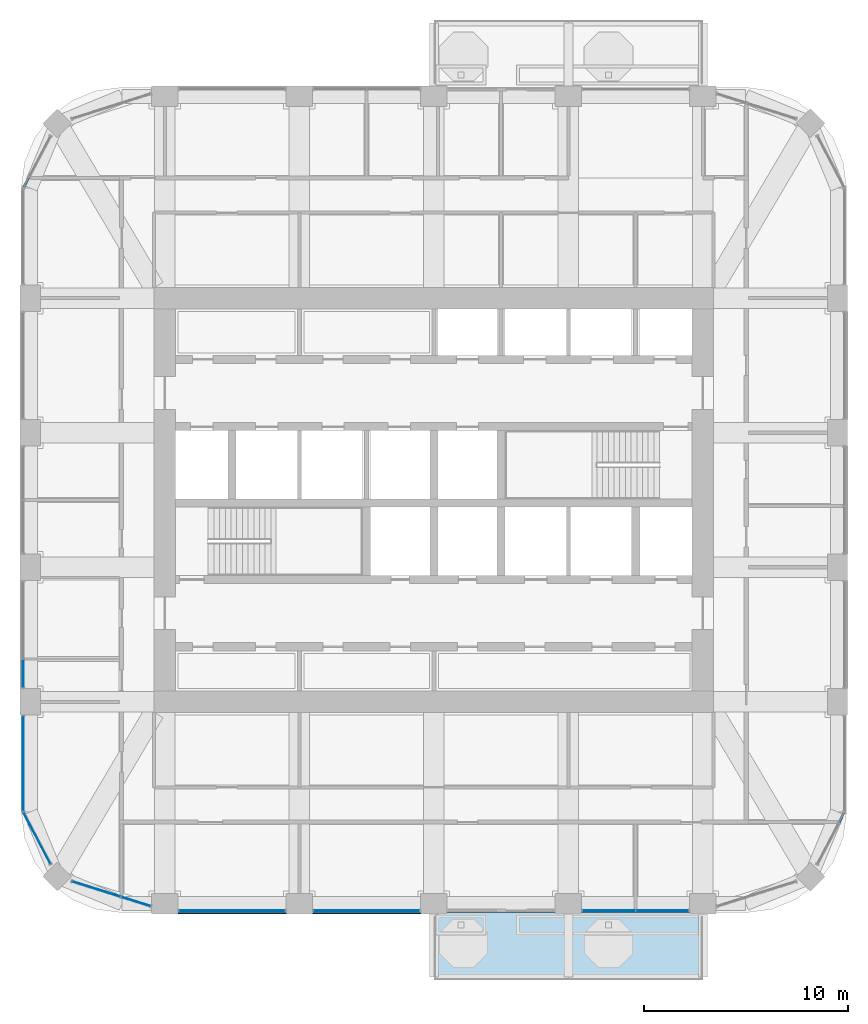
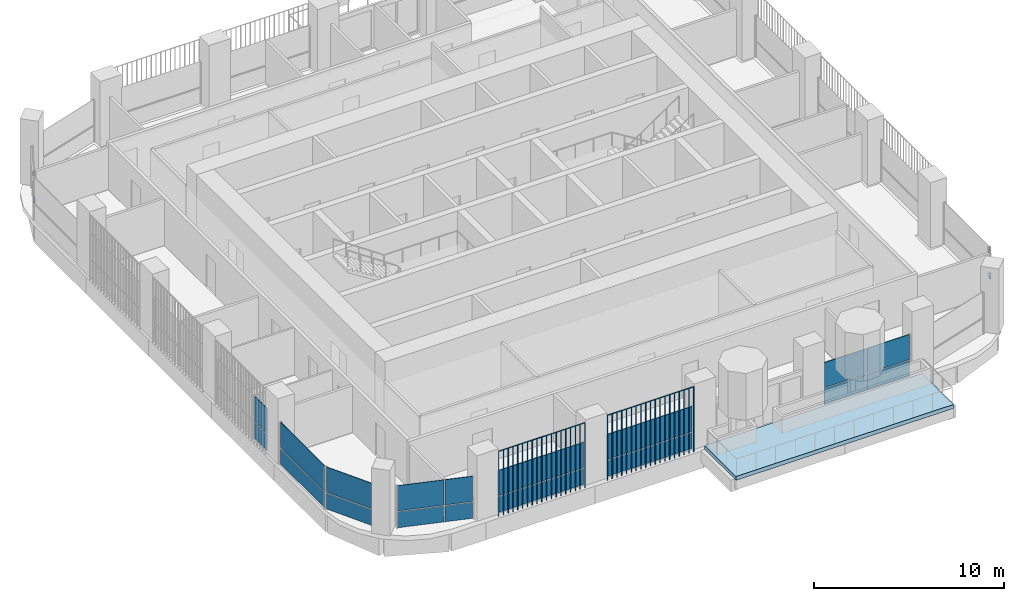
# One storey, part 8 of 21: 20 plates, 2 members, 1 slab, 9 elements without a shape of their own.
"""IFC4 building model written with IfcOpenShell, lengths in metres."""

import ifcopenshell
import ifcopenshell.guid

model = None  # the IFC model being written
_history = None  # IfcOwnerHistory: only IFC2X3 demands one
_inside = {}  # id of a spatial element -> (the spatial element, [elements in it])
_under = {}  # id of a project, library or spatial element -> (it, [spatial elements below it])
_declared = {}  # id of a project -> (the project, [libraries it declares])
_typed = {}  # id of a type object -> (the type object, [elements of that type])
_made_of = {}  # id of a material, layer set ... -> (it, [elements and type objects made of it])


def new_model(schema):
    """Start an empty IFC model of exactly this schema.

    Asked for "IFC4X3", IfcOpenShell would pick the latest addendum, in which some entities
    have other attributes; the version numbers below select the first issue.
    IFC2X3 requires an IfcOwnerHistory on every rooted entity: one is made here for all.
    """
    global model, _history
    if schema == "IFC4X3":
        model = ifcopenshell.file(schema_version=(4, 3, 0, 0))
    else:
        model = ifcopenshell.file(schema=schema)
    _inside.clear()
    _under.clear()
    _declared.clear()
    _typed.clear()
    _made_of.clear()
    _history = None
    if model.schema == "IFC2X3":
        org = make("IfcOrganization", Name="unknown")
        user = make(
            "IfcPersonAndOrganization",
            ThePerson=make("IfcPerson", FamilyName="unknown"),
            TheOrganization=org,
        )
        app = make(
            "IfcApplication",
            ApplicationDeveloper=org,
            Version="unknown",
            ApplicationFullName="unknown",
            ApplicationIdentifier="unknown",
        )
        _history = make(
            "IfcOwnerHistory",
            OwningUser=user,
            OwningApplication=app,
            ChangeAction="ADDED",
            CreationDate=0,
        )
    return model


def make(cls, **values):
    """One entity of the class cls with the attributes given. An attribute that is None is left unset."""
    return model.create_entity(
        cls, **{name: value for name, value in values.items() if value is not None}
    )


def rooted(cls, **values):
    """An entity with a GlobalId (a new one), such as an element, a storey or a relation."""
    return make(cls, GlobalId=ifcopenshell.guid.new(), OwnerHistory=_history, **values)


def si_unit(unit_type, name, prefix=None):
    """IfcSIUnit, for example si_unit("LENGTHUNIT", "METRE", prefix="MILLI")."""
    return make("IfcSIUnit", UnitType=unit_type, Prefix=prefix, Name=name)


def assignment(units):
    """IfcUnitAssignment: the units of a project."""
    return None if units is None else make("IfcUnitAssignment", Units=units)


def point(xyz):
    """IfcCartesianPoint."""
    return None if xyz is None else make("IfcCartesianPoint", Coordinates=xyz)


def direction(xyz):
    """IfcDirection."""
    return None if xyz is None else make("IfcDirection", DirectionRatios=xyz)


def frame(location, z_axis=None, x_axis=None):
    """IfcAxis2Placement3D, a coordinate frame: its origin and axes. An axis left out is left unset."""
    return make(
        "IfcAxis2Placement3D",
        Location=point(location),
        Axis=direction(z_axis),
        RefDirection=direction(x_axis),
    )


def frame_2d(location, x_axis=None):
    """IfcAxis2Placement2D, a coordinate frame in the plane: its origin and x axis."""
    return make(
        "IfcAxis2Placement2D", Location=point(location), RefDirection=direction(x_axis)
    )


def origin():
    """The frame at (0, 0, 0) with its axes left unset."""
    return frame((0.0, 0.0, 0.0))


def origin_2d():
    """The frame at (0, 0) in the plane with its x axis left unset."""
    return frame_2d((0.0, 0.0))


def place(relative_to, where):
    """IfcLocalPlacement: puts the frame where relative to a parent placement (None: the world)."""
    return make(
        "IfcLocalPlacement", PlacementRelTo=relative_to, RelativePlacement=where
    )


def context(
    kind, dimensions, precision=None, world=None, true_north=None, identifier=None
):
    """IfcGeometricRepresentationContext, for example the 3D "Model" context."""
    return make(
        "IfcGeometricRepresentationContext",
        ContextIdentifier=identifier,
        ContextType=kind,
        CoordinateSpaceDimension=dimensions,
        Precision=precision,
        WorldCoordinateSystem=world,
        TrueNorth=true_north,
    )


def subcontext(parent, identifier, kind, view, scale=None):
    """IfcGeometricRepresentationSubContext, for example "Body" below "Model"."""
    return make(
        "IfcGeometricRepresentationSubContext",
        ContextIdentifier=identifier,
        ContextType=kind,
        ParentContext=parent,
        TargetScale=scale,
        TargetView=view,
    )


def project(units=None, contexts=None):
    """IfcProject with its units and contexts."""
    return rooted(
        "IfcProject",
        Name="project",
        RepresentationContexts=contexts,
        UnitsInContext=assignment(units),
    )


def spatial(cls, under=None, at=None, **own):
    """A site, building, storey or space (cls), placed at a placement, below another one or the project."""
    s = rooted(cls, ObjectPlacement=at, **own)
    if under is not None:
        _under.setdefault(under.id(), (under, []))[1].append(s)
    return s


def polyline(points):
    """IfcPolyline through the points."""
    return make("IfcPolyline", Points=[point(p) for p in points])


def profile(cls, at=None, kind="AREA", **sizes):
    """A parametric profile (cls). Its sizes go by their IFC names, for example OverallWidth=200.0."""
    return make(cls, ProfileType=kind, Position=at, **sizes)


def rectangle(**sizes):
    """IfcRectangleProfileDef."""
    return profile("IfcRectangleProfileDef", **sizes)


def outline(outer, holes=None, kind="AREA"):
    """IfcArbitraryClosedProfileDef: a profile drawn as a closed curve; with holes, ...WithVoids."""
    if holes is None:
        return make("IfcArbitraryClosedProfileDef", ProfileType=kind, OuterCurve=outer)
    return make(
        "IfcArbitraryProfileDefWithVoids",
        ProfileType=kind,
        OuterCurve=outer,
        InnerCurves=holes,
    )


def extrude(swept, where, along, depth):
    """IfcExtrudedAreaSolid: the profile swept, set in the frame where, extruded along a direction by depth."""
    return make(
        "IfcExtrudedAreaSolid",
        SweptArea=swept,
        Position=where,
        ExtrudedDirection=direction(along),
        Depth=depth,
    )


def shape(context_of_items, identifier, shape_type, items):
    """IfcShapeRepresentation: the items that make up one representation, for example the "Body"."""
    return make(
        "IfcShapeRepresentation",
        ContextOfItems=context_of_items,
        RepresentationIdentifier=identifier,
        RepresentationType=shape_type,
        Items=items,
    )


def material(Name=None, Category=None):
    """IfcMaterial."""
    return make("IfcMaterial", Name=Name, Category=Category)


def layer(
    of_material, thickness, ventilated=None, Name=None, Category=None, Priority=None
):
    """IfcMaterialLayer: one layer of a wall or slab, of a material (None: an air gap)."""
    return make(
        "IfcMaterialLayer",
        Material=of_material,
        LayerThickness=thickness,
        IsVentilated=ventilated,
        Name=Name,
        Category=Category,
        Priority=Priority,
    )


def layer_set(layers, Name=None):
    """IfcMaterialLayerSet."""
    return make("IfcMaterialLayerSet", MaterialLayers=layers, LayerSetName=Name)


def material_profile(
    of_material, cross_section, Name=None, Category=None, Priority=None
):
    """IfcMaterialProfile: a cross section and its material."""
    return make(
        "IfcMaterialProfile",
        Name=Name,
        Material=of_material,
        Profile=cross_section,
        Priority=Priority,
        Category=Category,
    )


def profile_set(profiles, Name=None, composite=None):
    """IfcMaterialProfileSet."""
    return make(
        "IfcMaterialProfileSet",
        Name=Name,
        MaterialProfiles=profiles,
        CompositeProfile=composite,
    )


def made_of(thing, what):
    """Note that an element or type object is made of a material, layer set ...; save() writes the relation."""
    if what is not None:
        _made_of.setdefault(what.id(), (what, []))[1].append(thing)
    return thing


def type_object(cls, material=None, **own):
    """A type object (cls), such as IfcWallType, which elements share."""
    return made_of(rooted(cls, **own), material)


def element(
    cls,
    number,
    at=None,
    inside=None,
    cuts=None,
    type_object=None,
    material=None,
    context=None,
    identifier="Body",
    shape_type=None,
    held_by="IfcProductDefinitionShape",
    body=None,
    shapes=None,
    **own,
):
    """One element of the class cls, such as IfcWall. Its Tag is "e" and its number.

    at: its placement. inside: the storey or other place that contains it. cuts: it is an
    opening in that element (IfcRelVoidsElement). A single representation is given by context,
    identifier, shape_type and body (its items); several are given by shapes. held_by: the class
    of the entity that holds the representations. save() writes the other relations.
    """
    e = rooted(cls, Tag="e%d" % number, ObjectPlacement=at, **own)
    if body is not None:
        shapes = [shape(context, identifier, shape_type, body)]
    if shapes is not None:
        e.Representation = make(held_by, Representations=shapes)
    if inside is not None:
        _inside.setdefault(inside.id(), (inside, []))[1].append(e)
    if cuts is not None:
        rooted(
            "IfcRelVoidsElement", RelatingBuildingElement=cuts, RelatedOpeningElement=e
        )
    if type_object is not None:
        _typed.setdefault(type_object.id(), (type_object, []))[1].append(e)
    return made_of(e, material)


def aggregate(whole, parts):
    """IfcRelAggregates: a whole, such as a stair, and the parts it consists of."""
    return rooted("IfcRelAggregates", RelatingObject=whole, RelatedObjects=parts)


def save(model, path):
    """Write the relations noted so far, then the file.

    IfcRelAggregates (storeys below a building ...), IfcRelContainedInSpatialStructure (elements
    in a storey), IfcRelDefinesByType, IfcRelAssociatesMaterial and IfcRelDeclares: one each for
    every whole, place, type object, material and project.
    """
    for whole, parts in _under.values():
        aggregate(whole, parts)
    for where, things in _inside.values():
        rooted(
            "IfcRelContainedInSpatialStructure",
            RelatedElements=things,
            RelatingStructure=where,
        )
    for kind, things in _typed.values():
        rooted("IfcRelDefinesByType", RelatedObjects=things, RelatingType=kind)
    for what, things in _made_of.values():
        rooted("IfcRelAssociatesMaterial", RelatedObjects=things, RelatingMaterial=what)
    for by, libraries in _declared.values():
        rooted("IfcRelDeclares", RelatingContext=by, RelatedDefinitions=libraries)
    model.write(path)


model = new_model("IFC4")

# Units and contexts
model_context = context("Model", 3, precision=1e-05, world=origin(), true_north=direction((0.0, 1.0)))
body_context = subcontext(model_context, "Body", "Model", "MODEL_VIEW")
ifc_project = project(units=[si_unit("LENGTHUNIT", "METRE"), si_unit("AREAUNIT", "SQUARE_METRE"), si_unit("VOLUMEUNIT", "CUBIC_METRE"), si_unit("PLANEANGLEUNIT", "RADIAN"), si_unit("MASSUNIT", "GRAM", prefix="KILO")], contexts=[model_context])

# Site, building, storey
site_placement = place(None, origin())
site = spatial("IfcSite", under=ifc_project, at=site_placement, CompositionType="ELEMENT")
building_placement = place(site_placement, origin())
building = spatial("IfcBuilding", under=site, at=building_placement, Name="Cobogo Forest Laboratory Tower", CompositionType="ELEMENT")
storey_placement = place(building_placement, frame((0.0, 0.0, 241.800048828125)))
storey = spatial("IfcBuildingStorey", under=building, at=storey_placement, Name="L55", CompositionType="ELEMENT", Elevation=241.800048828125)

# Curtain wall, member
ifc_material_1 = material(Name="Aluminium curtain wall", Category="aluminium")
curtain_wall_type = type_object("IfcCurtainWallType", Name="CW-2 unitised curtain wall, solar control glazing, laboratory floors zones C and D", PredefinedType="USERDEFINED", material=ifc_material_1)
curtain_wall_1_placement = place(storey_placement, origin())
curtain_wall_1 = element("IfcCurtainWall", 1, at=curtain_wall_1_placement, inside=storey, type_object=curtain_wall_type, Name="Curtain wall 06 L55", ObjectType="UNITISED CURTAIN WALL", PredefinedType="USERDEFINED")
ifc_material_2 = material(Name="Aluminium transom", Category="aluminium")
ifc_material_profile = material_profile(ifc_material_2, rectangle(XDim=0.1201171875, YDim=0.06005859375, at=origin_2d()), Name="AL 60x120")
ifc_profile_set = profile_set([ifc_material_profile], Name="Aluminium transom")
member_type = type_object("IfcMemberType", Name="TR-1 aluminium transom 60x120", PredefinedType="USERDEFINED", material=ifc_profile_set)
member_1_placement = place(storey_placement, frame((46.282470703125, 7.289306640625, 1.050048828125), z_axis=(0.46414828098, 0.885757513806, 0.0), x_axis=(-0.885757513806, 0.46414828098, 0.0)))
member_1 = element("IfcMember", 2, at=member_1_placement, type_object=member_type, Name="CW-2 transom 2.1", ObjectType="TRANSOM", PredefinedType="USERDEFINED", context=body_context, shape_type="SweptSolid", body=[
    extrude(rectangle(XDim=0.1201171875, YDim=0.06005859375, at=origin_2d()), origin(), (0.0, 0.0, 1.0), 0.5166015625),
])
aggregate(curtain_wall_1, [member_1])

curtain_wall_2_placement = place(storey_placement, origin())
curtain_wall_2 = element("IfcCurtainWall", 3, at=curtain_wall_2_placement, inside=storey, type_object=curtain_wall_type, Name="Curtain wall 19 L55", ObjectType="UNITISED CURTAIN WALL", PredefinedType="USERDEFINED")
member_2_placement = place(storey_placement, frame((6.517578125, 38.91064453125, 1.050048828125), z_axis=(-0.46414828098, -0.885757513806, 0.0), x_axis=(0.885757513806, -0.46414828098, 0.0)))
member_2 = element("IfcMember", 4, at=member_2_placement, type_object=member_type, Name="CW-2 transom 2.1", ObjectType="TRANSOM", PredefinedType="USERDEFINED", context=body_context, shape_type="SweptSolid", body=[
    extrude(rectangle(XDim=0.1201171875, YDim=0.06005859375, at=origin_2d()), origin(), (0.0, 0.0, 1.0), 0.5166015625),
])
aggregate(curtain_wall_2, [member_2])

# Slab
ifc_material_3 = material(Name="Concrete HA-40 (C40/50)", Category="concrete")
ifc_layer_1 = layer(ifc_material_3, 0.25)
ifc_layer_set_1 = layer_set([ifc_layer_1], Name="Balcony slab 250")
slab_type = type_object("IfcSlabType", Name="Balcony slab 250", PredefinedType="FLOOR", material=ifc_layer_set_1)
slab_placement = place(storey_placement, frame((0.0, 0.0, -0.25)))
element("IfcSlab", 5, at=slab_placement, inside=storey, type_object=slab_type, Name="Balcony BAL-S1 L55", PredefinedType="FLOOR", context=body_context, shape_type="SweptSolid", body=[
    extrude(outline(polyline([(26.39990234375, -0.449951171875), (39.60009765625, -0.449951171875), (39.60009765625, 2.85009765625), (26.39990234375, 2.85009765625), (26.39990234375, -0.449951171875)])), origin(), (0.0, 0.0, 1.0), 0.25),
])

# Curtain wall, plates
curtain_wall_3_placement = place(storey_placement, origin())
curtain_wall_3 = element("IfcCurtainWall", 6, at=curtain_wall_3_placement, inside=storey, type_object=curtain_wall_type, Name="Curtain wall 01 L55", ObjectType="UNITISED CURTAIN WALL", PredefinedType="USERDEFINED")
ifc_material_4 = material(Name="Solar control insulated glass", Category="glass")
ifc_layer_2 = layer(ifc_material_4, 0.031982421875)
ifc_layer_set_2 = layer_set([ifc_layer_2], Name="GP-2 solar control glass unit 32")
plate_type_1 = type_object("IfcPlateType", Name="GP-2 solar control glass unit 32", PredefinedType="CURTAIN_PANEL", material=ifc_layer_set_2)
plate_1_placement = place(storey_placement, frame((16.5, 2.949951171875, 0.0), z_axis=(0.0, 0.0, 1.0), x_axis=(1.0, 0.0, 0.0)))
plate_1 = element("IfcPlate", 7, at=plate_1_placement, type_object=plate_type_1, Name="CW-2 panel 1.1", PredefinedType="CURTAIN_PANEL", context=body_context, shape_type="SweptSolid", body=[
    extrude(rectangle(XDim=5.179931640625, YDim=0.031982421875, at=origin_2d()), origin(), (0.0, 0.0, 1.0), 1.02001953125),
])
plate_2_placement = place(storey_placement, frame((16.5, 2.949951171875, 1.079833984375), z_axis=(0.0, 0.0, 1.0), x_axis=(1.0, 0.0, 0.0)))
plate_2 = element("IfcPlate", 8, at=plate_2_placement, type_object=plate_type_1, Name="CW-2 panel 1.2", PredefinedType="CURTAIN_PANEL", context=body_context, shape_type="SweptSolid", body=[
    extrude(rectangle(XDim=5.179931640625, YDim=0.031982421875, at=origin_2d()), origin(), (0.0, 0.0, 1.0), 1.6201171875),
])
aggregate(curtain_wall_3, [plate_1, plate_2])

curtain_wall_4_placement = place(storey_placement, origin())
curtain_wall_4 = element("IfcCurtainWall", 9, at=curtain_wall_4_placement, inside=storey, type_object=curtain_wall_type, Name="Curtain wall 02 L55", ObjectType="UNITISED CURTAIN WALL", PredefinedType="USERDEFINED")
plate_3_placement = place(storey_placement, frame((23.10009765625, 2.949951171875, 0.0), z_axis=(0.0, 0.0, 1.0), x_axis=(1.0, 0.0, 0.0)))
plate_3 = element("IfcPlate", 10, at=plate_3_placement, type_object=plate_type_1, Name="CW-2 panel 1.1", PredefinedType="CURTAIN_PANEL", context=body_context, shape_type="SweptSolid", body=[
    extrude(rectangle(XDim=5.179931640625, YDim=0.031982421875, at=origin_2d()), origin(), (0.0, 0.0, 1.0), 1.02001953125),
])
plate_4_placement = place(storey_placement, frame((23.10009765625, 2.949951171875, 1.079833984375), z_axis=(0.0, 0.0, 1.0), x_axis=(1.0, 0.0, 0.0)))
plate_4 = element("IfcPlate", 11, at=plate_4_placement, type_object=plate_type_1, Name="CW-2 panel 1.2", PredefinedType="CURTAIN_PANEL", context=body_context, shape_type="SweptSolid", body=[
    extrude(rectangle(XDim=5.179931640625, YDim=0.031982421875, at=origin_2d()), origin(), (0.0, 0.0, 1.0), 1.6201171875),
])
aggregate(curtain_wall_4, [plate_3, plate_4])

curtain_wall_5_placement = place(storey_placement, origin())
curtain_wall_5 = element("IfcCurtainWall", 12, at=curtain_wall_5_placement, inside=storey, type_object=curtain_wall_type, Name="Curtain wall 04 L55", ObjectType="UNITISED CURTAIN WALL", PredefinedType="USERDEFINED")
plate_5_placement = place(storey_placement, frame((34.989990234375, 2.949951171875, 0.0), z_axis=(0.0, 0.0, 1.0), x_axis=(1.0, 0.0, 0.0)))
plate_5 = element("IfcPlate", 13, at=plate_5_placement, type_object=plate_type_1, Name="CW-2 panel 1.1", PredefinedType="CURTAIN_PANEL", context=body_context, shape_type="SweptSolid", body=[
    extrude(rectangle(XDim=2.56005859375, YDim=0.031982421875, at=origin_2d()), origin(), (0.0, 0.0, 1.0), 1.02001953125),
])
plate_6_placement = place(storey_placement, frame((34.989990234375, 2.949951171875, 1.079833984375), z_axis=(0.0, 0.0, 1.0), x_axis=(1.0, 0.0, 0.0)))
plate_6 = element("IfcPlate", 14, at=plate_6_placement, type_object=plate_type_1, Name="CW-2 panel 1.2", PredefinedType="CURTAIN_PANEL", context=body_context, shape_type="SweptSolid", body=[
    extrude(rectangle(XDim=2.56005859375, YDim=0.031982421875, at=origin_2d()), origin(), (0.0, 0.0, 1.0), 1.6201171875),
])
plate_7_placement = place(storey_placement, frame((37.610107421875, 2.949951171875, 0.0), z_axis=(0.0, 0.0, 1.0), x_axis=(1.0, 0.0, 0.0)))
plate_7 = element("IfcPlate", 15, at=plate_7_placement, type_object=plate_type_1, Name="CW-2 panel 2.1", PredefinedType="CURTAIN_PANEL", context=body_context, shape_type="SweptSolid", body=[
    extrude(rectangle(XDim=2.56005859375, YDim=0.031982421875, at=origin_2d()), origin(), (0.0, 0.0, 1.0), 1.02001953125),
])
plate_8_placement = place(storey_placement, frame((37.610107421875, 2.949951171875, 1.079833984375), z_axis=(0.0, 0.0, 1.0), x_axis=(1.0, 0.0, 0.0)))
plate_8 = element("IfcPlate", 16, at=plate_8_placement, type_object=plate_type_1, Name="CW-2 panel 2.2", PredefinedType="CURTAIN_PANEL", context=body_context, shape_type="SweptSolid", body=[
    extrude(rectangle(XDim=2.56005859375, YDim=0.031982421875, at=origin_2d()), origin(), (0.0, 0.0, 1.0), 1.6201171875),
])
aggregate(curtain_wall_5, [plate_5, plate_6, plate_7, plate_8])

curtain_wall_6_placement = place(storey_placement, origin())
curtain_wall_6 = element("IfcCurtainWall", 17, at=curtain_wall_6_placement, inside=storey, type_object=curtain_wall_type, Name="Curtain wall 23 L55", ObjectType="UNITISED CURTAIN WALL", PredefinedType="USERDEFINED")
plate_9_placement = place(storey_placement, frame((6.25, 14.590087890625, 0.0), z_axis=(0.0, 0.0, 1.0), x_axis=(0.0, -1.0, 0.0)))
plate_9 = element("IfcPlate", 18, at=plate_9_placement, type_object=plate_type_1, Name="CW-2 panel 2.1", PredefinedType="CURTAIN_PANEL", context=body_context, shape_type="SweptSolid", body=[
    extrude(rectangle(XDim=1.360107421875, YDim=0.031982421875, at=origin_2d()), origin(), (0.0, 0.0, 1.0), 1.02001953125),
])
plate_10_placement = place(storey_placement, frame((6.25, 14.590087890625, 1.079833984375), z_axis=(0.0, 0.0, 1.0), x_axis=(0.0, -1.0, 0.0)))
plate_10 = element("IfcPlate", 19, at=plate_10_placement, type_object=plate_type_1, Name="CW-2 panel 2.2", PredefinedType="CURTAIN_PANEL", context=body_context, shape_type="SweptSolid", body=[
    extrude(rectangle(XDim=1.360107421875, YDim=0.031982421875, at=origin_2d()), origin(), (0.0, 0.0, 1.0), 1.6201171875),
])
aggregate(curtain_wall_6, [plate_9, plate_10])

curtain_wall_7_placement = place(storey_placement, origin())
curtain_wall_7 = element("IfcCurtainWall", 20, at=curtain_wall_7_placement, inside=storey, type_object=curtain_wall_type, Name="Curtain wall 24 L55", ObjectType="UNITISED CURTAIN WALL", PredefinedType="USERDEFINED")
plate_11_placement = place(storey_placement, frame((6.25, 10.175048828125, 0.0), z_axis=(0.0, 0.0, 1.0), x_axis=(0.0, -1.0, 0.0)))
plate_11 = element("IfcPlate", 21, at=plate_11_placement, type_object=plate_type_1, Name="CW-2 panel 1.1", PredefinedType="CURTAIN_PANEL", context=body_context, shape_type="SweptSolid", body=[
    extrude(rectangle(XDim=4.6298828125, YDim=0.031982421875, at=origin_2d()), origin(), (0.0, 0.0, 1.0), 1.02001953125),
])
plate_12_placement = place(storey_placement, frame((6.25, 10.175048828125, 1.079833984375), z_axis=(0.0, 0.0, 1.0), x_axis=(0.0, -1.0, 0.0)))
plate_12 = element("IfcPlate", 22, at=plate_12_placement, type_object=plate_type_1, Name="CW-2 panel 1.2", PredefinedType="CURTAIN_PANEL", context=body_context, shape_type="SweptSolid", body=[
    extrude(rectangle(XDim=4.6298828125, YDim=0.031982421875, at=origin_2d()), origin(), (0.0, 0.0, 1.0), 1.6201171875),
])
aggregate(curtain_wall_7, [plate_11, plate_12])

curtain_wall_8_placement = place(storey_placement, origin())
curtain_wall_8 = element("IfcCurtainWall", 23, at=curtain_wall_8_placement, inside=storey, type_object=curtain_wall_type, Name="Curtain wall 25 L55", ObjectType="UNITISED CURTAIN WALL", PredefinedType="USERDEFINED")
plate_13_placement = place(storey_placement, frame((6.930908203125, 6.501220703125, 0.0), z_axis=(0.0, 0.0, 1.0), x_axis=(0.464283791352, -0.885686491422, 0.0)))
plate_13 = element("IfcPlate", 24, at=plate_13_placement, type_object=plate_type_1, Name="CW-2 panel 1.1", PredefinedType="CURTAIN_PANEL", context=body_context, shape_type="SweptSolid", body=[
    extrude(rectangle(XDim=2.812744140625, YDim=0.031982421875, at=origin_2d()), origin(), (0.0, 0.0, 1.0), 1.02001953125),
])
plate_14_placement = place(storey_placement, frame((6.930908203125, 6.501220703125, 1.079833984375), z_axis=(0.0, 0.0, 1.0), x_axis=(0.464283791352, -0.885686491422, 0.0)))
plate_14 = element("IfcPlate", 25, at=plate_14_placement, type_object=plate_type_1, Name="CW-2 panel 1.2", PredefinedType="CURTAIN_PANEL", context=body_context, shape_type="SweptSolid", body=[
    extrude(rectangle(XDim=2.812744140625, YDim=0.031982421875, at=origin_2d()), origin(), (0.0, 0.0, 1.0), 1.6201171875),
])
aggregate(curtain_wall_8, [plate_13, plate_14])

curtain_wall_9_placement = place(storey_placement, origin())
curtain_wall_9 = element("IfcCurtainWall", 26, at=curtain_wall_9_placement, inside=storey, type_object=curtain_wall_type, Name="Curtain wall 26 L55", ObjectType="UNITISED CURTAIN WALL", PredefinedType="USERDEFINED")
plate_15_placement = place(storey_placement, frame((9.83740234375, 4.011962890625, 0.0), z_axis=(0.0, 0.0, 1.0), x_axis=(0.953581386052, -0.301135418334, 0.0)))
plate_15 = element("IfcPlate", 27, at=plate_15_placement, type_object=plate_type_1, Name="CW-2 panel 1.1", PredefinedType="CURTAIN_PANEL", context=body_context, shape_type="SweptSolid", body=[
    extrude(rectangle(XDim=2.4853515625, YDim=0.031982421875, at=origin_2d()), origin(), (0.0, 0.0, 1.0), 1.02001953125),
])
plate_16_placement = place(storey_placement, frame((9.83740234375, 4.011962890625, 1.079833984375), z_axis=(0.0, 0.0, 1.0), x_axis=(0.953581386052, -0.301135418334, 0.0)))
plate_16 = element("IfcPlate", 28, at=plate_16_placement, type_object=plate_type_1, Name="CW-2 panel 1.2", PredefinedType="CURTAIN_PANEL", context=body_context, shape_type="SweptSolid", body=[
    extrude(rectangle(XDim=2.4853515625, YDim=0.031982421875, at=origin_2d()), origin(), (0.0, 0.0, 1.0), 1.6201171875),
])
plate_17_placement = place(storey_placement, frame((11.7861328125, 3.396484375, 0.0), z_axis=(0.0, 0.0, 1.0), x_axis=(0.953581386052, -0.301135418334, 0.0)))
plate_17 = element("IfcPlate", 29, at=plate_17_placement, type_object=plate_type_1, Name="CW-2 panel 2.1", PredefinedType="CURTAIN_PANEL", context=body_context, shape_type="SweptSolid", body=[
    extrude(rectangle(XDim=1.482177734375, YDim=0.031982421875, at=origin_2d()), origin(), (0.0, 0.0, 1.0), 1.02001953125),
])
plate_18_placement = place(storey_placement, frame((11.7861328125, 3.396484375, 1.079833984375), z_axis=(0.0, 0.0, 1.0), x_axis=(0.953581386052, -0.301135418334, 0.0)))
plate_18 = element("IfcPlate", 30, at=plate_18_placement, type_object=plate_type_1, Name="CW-2 panel 2.2", PredefinedType="CURTAIN_PANEL", context=body_context, shape_type="SweptSolid", body=[
    extrude(rectangle(XDim=1.482177734375, YDim=0.031982421875, at=origin_2d()), origin(), (0.0, 0.0, 1.0), 1.6201171875),
])
aggregate(curtain_wall_9, [plate_15, plate_16, plate_17, plate_18])

# Plates
ifc_material_5 = material(Name="Terracotta", Category="masonry")
plate_type_2 = type_object("IfcPlateType", Name="TB1 terracotta baguette screen", PredefinedType="USERDEFINED", material=ifc_material_5)
plate_19_placement = place(storey_placement, frame((13.88134765625, 2.822021484375, -0.150146484375)))
element("IfcPlate", 31, at=plate_19_placement, inside=storey, type_object=plate_type_2, Name="Baguette screen S1 L55", ObjectType="BAGUETTE SCREEN", PredefinedType="USERDEFINED", context=body_context, shape_type="SweptSolid", body=[
    extrude(outline(polyline([(0.02880859375, 0.011962890625), (0.011962890625, 0.02880859375), (-0.011962890625, 0.02880859375), (-0.02880859375, 0.011962890625), (-0.02880859375, -0.011962890625), (-0.011962890625, -0.02880859375), (0.011962890625, -0.02880859375), (0.02880859375, -0.011962890625), (0.02880859375, 0.011962890625)])), frame((0.0, 0.0, 4.168701171875), z_axis=(1.0, 0.0, 0.0), x_axis=(0.0, 1.0, 0.0)), (0.0, 0.0, 1.0), 5.2373046875),
    extrude(outline(polyline([(0.02880859375, 0.011962890625), (0.011962890625, 0.02880859375), (-0.011962890625, 0.02880859375), (-0.02880859375, 0.011962890625), (-0.02880859375, -0.011962890625), (-0.011962890625, -0.02880859375), (0.011962890625, -0.02880859375), (0.02880859375, -0.011962890625), (0.02880859375, 0.011962890625)])), origin(), (0.0, 0.0, 1.0), 4.137451171875),
    extrude(outline(polyline([(0.02880859375, 0.011962890625), (0.011962890625, 0.02880859375), (-0.011962890625, 0.02880859375), (-0.02880859375, 0.011962890625), (-0.02880859375, -0.011962890625), (-0.011962890625, -0.02880859375), (0.011962890625, -0.02880859375), (0.02880859375, -0.011962890625), (0.02880859375, 0.011962890625)])), frame((0.291015625, 0.0, 0.0)), (0.0, 0.0, 1.0), 4.137451171875),
    extrude(outline(polyline([(0.02880859375, 0.011962890625), (0.011962890625, 0.02880859375), (-0.011962890625, 0.02880859375), (-0.02880859375, 0.011962890625), (-0.02880859375, -0.011962890625), (-0.011962890625, -0.02880859375), (0.011962890625, -0.02880859375), (0.02880859375, -0.011962890625), (0.02880859375, 0.011962890625)])), frame((0.58203125, 0.0, 0.0)), (0.0, 0.0, 1.0), 4.137451171875),
    extrude(outline(polyline([(0.02880859375, 0.011962890625), (0.011962890625, 0.02880859375), (-0.011962890625, 0.02880859375), (-0.02880859375, 0.011962890625), (-0.02880859375, -0.011962890625), (-0.011962890625, -0.02880859375), (0.011962890625, -0.02880859375), (0.02880859375, -0.011962890625), (0.02880859375, 0.011962890625)])), frame((0.872802734375, 0.0, 0.0)), (0.0, 0.0, 1.0), 4.137451171875),
    extrude(outline(polyline([(0.02880859375, 0.011962890625), (0.011962890625, 0.02880859375), (-0.011962890625, 0.02880859375), (-0.02880859375, 0.011962890625), (-0.02880859375, -0.011962890625), (-0.011962890625, -0.02880859375), (0.011962890625, -0.02880859375), (0.02880859375, -0.011962890625), (0.02880859375, 0.011962890625)])), frame((1.163818359375, 0.0, 0.0)), (0.0, 0.0, 1.0), 4.137451171875),
    extrude(outline(polyline([(0.02880859375, 0.011962890625), (0.011962890625, 0.02880859375), (-0.011962890625, 0.02880859375), (-0.02880859375, 0.011962890625), (-0.02880859375, -0.011962890625), (-0.011962890625, -0.02880859375), (0.011962890625, -0.02880859375), (0.02880859375, -0.011962890625), (0.02880859375, 0.011962890625)])), frame((1.454833984375, 0.0, 0.0)), (0.0, 0.0, 1.0), 4.137451171875),
    extrude(outline(polyline([(0.02880859375, 0.011962890625), (0.011962890625, 0.02880859375), (-0.011962890625, 0.02880859375), (-0.02880859375, 0.011962890625), (-0.02880859375, -0.011962890625), (-0.011962890625, -0.02880859375), (0.011962890625, -0.02880859375), (0.02880859375, -0.011962890625), (0.02880859375, 0.011962890625)])), frame((1.745849609375, 0.0, 0.0)), (0.0, 0.0, 1.0), 4.137451171875),
    extrude(outline(polyline([(0.02880859375, 0.011962890625), (0.011962890625, 0.02880859375), (-0.011962890625, 0.02880859375), (-0.02880859375, 0.011962890625), (-0.02880859375, -0.011962890625), (-0.011962890625, -0.02880859375), (0.011962890625, -0.02880859375), (0.02880859375, -0.011962890625), (0.02880859375, 0.011962890625)])), frame((2.03662109375, 0.0, 0.0)), (0.0, 0.0, 1.0), 4.137451171875),
    extrude(outline(polyline([(0.02880859375, 0.011962890625), (0.011962890625, 0.02880859375), (-0.011962890625, 0.02880859375), (-0.02880859375, 0.011962890625), (-0.02880859375, -0.011962890625), (-0.011962890625, -0.02880859375), (0.011962890625, -0.02880859375), (0.02880859375, -0.011962890625), (0.02880859375, 0.011962890625)])), frame((2.32763671875, 0.0, 0.0)), (0.0, 0.0, 1.0), 4.137451171875),
    extrude(outline(polyline([(0.02880859375, 0.011962890625), (0.011962890625, 0.02880859375), (-0.011962890625, 0.02880859375), (-0.02880859375, 0.011962890625), (-0.02880859375, -0.011962890625), (-0.011962890625, -0.02880859375), (0.011962890625, -0.02880859375), (0.02880859375, -0.011962890625), (0.02880859375, 0.011962890625)])), frame((2.61865234375, 0.0, 0.0)), (0.0, 0.0, 1.0), 4.137451171875),
    extrude(outline(polyline([(0.02880859375, 0.011962890625), (0.011962890625, 0.02880859375), (-0.011962890625, 0.02880859375), (-0.02880859375, 0.011962890625), (-0.02880859375, -0.011962890625), (-0.011962890625, -0.02880859375), (0.011962890625, -0.02880859375), (0.02880859375, -0.011962890625), (0.02880859375, 0.011962890625)])), frame((2.90966796875, 0.0, 0.0)), (0.0, 0.0, 1.0), 4.137451171875),
    extrude(outline(polyline([(0.02880859375, 0.011962890625), (0.011962890625, 0.02880859375), (-0.011962890625, 0.02880859375), (-0.02880859375, 0.011962890625), (-0.02880859375, -0.011962890625), (-0.011962890625, -0.02880859375), (0.011962890625, -0.02880859375), (0.02880859375, -0.011962890625), (0.02880859375, 0.011962890625)])), frame((3.20068359375, 0.0, 0.0)), (0.0, 0.0, 1.0), 4.137451171875),
    extrude(outline(polyline([(0.02880859375, 0.011962890625), (0.011962890625, 0.02880859375), (-0.011962890625, 0.02880859375), (-0.02880859375, 0.011962890625), (-0.02880859375, -0.011962890625), (-0.011962890625, -0.02880859375), (0.011962890625, -0.02880859375), (0.02880859375, -0.011962890625), (0.02880859375, 0.011962890625)])), frame((3.491455078125, 0.0, 0.0)), (0.0, 0.0, 1.0), 4.137451171875),
    extrude(outline(polyline([(0.02880859375, 0.011962890625), (0.011962890625, 0.02880859375), (-0.011962890625, 0.02880859375), (-0.02880859375, 0.011962890625), (-0.02880859375, -0.011962890625), (-0.011962890625, -0.02880859375), (0.011962890625, -0.02880859375), (0.02880859375, -0.011962890625), (0.02880859375, 0.011962890625)])), frame((3.782470703125, 0.0, 0.0)), (0.0, 0.0, 1.0), 4.137451171875),
    extrude(outline(polyline([(0.02880859375, 0.011962890625), (0.011962890625, 0.02880859375), (-0.011962890625, 0.02880859375), (-0.02880859375, 0.011962890625), (-0.02880859375, -0.011962890625), (-0.011962890625, -0.02880859375), (0.011962890625, -0.02880859375), (0.02880859375, -0.011962890625), (0.02880859375, 0.011962890625)])), frame((4.073486328125, 0.0, 0.0)), (0.0, 0.0, 1.0), 4.137451171875),
    extrude(outline(polyline([(0.02880859375, 0.011962890625), (0.011962890625, 0.02880859375), (-0.011962890625, 0.02880859375), (-0.02880859375, 0.011962890625), (-0.02880859375, -0.011962890625), (-0.011962890625, -0.02880859375), (0.011962890625, -0.02880859375), (0.02880859375, -0.011962890625), (0.02880859375, 0.011962890625)])), frame((4.364501953125, 0.0, 0.0)), (0.0, 0.0, 1.0), 4.137451171875),
    extrude(outline(polyline([(0.02880859375, 0.011962890625), (0.011962890625, 0.02880859375), (-0.011962890625, 0.02880859375), (-0.02880859375, 0.011962890625), (-0.02880859375, -0.011962890625), (-0.011962890625, -0.02880859375), (0.011962890625, -0.02880859375), (0.02880859375, -0.011962890625), (0.02880859375, 0.011962890625)])), frame((4.6552734375, 0.0, 0.0)), (0.0, 0.0, 1.0), 4.137451171875),
    extrude(outline(polyline([(0.02880859375, 0.011962890625), (0.011962890625, 0.02880859375), (-0.011962890625, 0.02880859375), (-0.02880859375, 0.011962890625), (-0.02880859375, -0.011962890625), (-0.011962890625, -0.02880859375), (0.011962890625, -0.02880859375), (0.02880859375, -0.011962890625), (0.02880859375, 0.011962890625)])), frame((4.9462890625, 0.0, 0.0)), (0.0, 0.0, 1.0), 4.137451171875),
    extrude(outline(polyline([(0.02880859375, 0.011962890625), (0.011962890625, 0.02880859375), (-0.011962890625, 0.02880859375), (-0.02880859375, 0.011962890625), (-0.02880859375, -0.011962890625), (-0.011962890625, -0.02880859375), (0.011962890625, -0.02880859375), (0.02880859375, -0.011962890625), (0.02880859375, 0.011962890625)])), frame((5.2373046875, 0.0, 0.0)), (0.0, 0.0, 1.0), 4.137451171875),
])
plate_20_placement = place(storey_placement, frame((20.481201171875, 2.822021484375, -0.150146484375)))
element("IfcPlate", 32, at=plate_20_placement, inside=storey, type_object=plate_type_2, Name="Baguette screen S2 L55", ObjectType="BAGUETTE SCREEN", PredefinedType="USERDEFINED", context=body_context, shape_type="SweptSolid", body=[
    extrude(outline(polyline([(0.02880859375, 0.011962890625), (0.011962890625, 0.02880859375), (-0.011962890625, 0.02880859375), (-0.02880859375, 0.011962890625), (-0.02880859375, -0.011962890625), (-0.011962890625, -0.02880859375), (0.011962890625, -0.02880859375), (0.02880859375, -0.011962890625), (0.02880859375, 0.011962890625)])), frame((0.0, 0.0, 4.168701171875), z_axis=(1.0, 0.0, 0.0), x_axis=(0.0, 1.0, 0.0)), (0.0, 0.0, 1.0), 5.237548828125),
    extrude(outline(polyline([(0.02880859375, 0.011962890625), (0.011962890625, 0.02880859375), (-0.011962890625, 0.02880859375), (-0.02880859375, 0.011962890625), (-0.02880859375, -0.011962890625), (-0.011962890625, -0.02880859375), (0.011962890625, -0.02880859375), (0.02880859375, -0.011962890625), (0.02880859375, 0.011962890625)])), origin(), (0.0, 0.0, 1.0), 4.137451171875),
    extrude(outline(polyline([(0.02880859375, 0.011962890625), (0.011962890625, 0.02880859375), (-0.011962890625, 0.02880859375), (-0.02880859375, 0.011962890625), (-0.02880859375, -0.011962890625), (-0.011962890625, -0.02880859375), (0.011962890625, -0.02880859375), (0.02880859375, -0.011962890625), (0.02880859375, 0.011962890625)])), frame((0.291015625, 0.0, 0.0)), (0.0, 0.0, 1.0), 4.137451171875),
    extrude(outline(polyline([(0.02880859375, 0.011962890625), (0.011962890625, 0.02880859375), (-0.011962890625, 0.02880859375), (-0.02880859375, 0.011962890625), (-0.02880859375, -0.011962890625), (-0.011962890625, -0.02880859375), (0.011962890625, -0.02880859375), (0.02880859375, -0.011962890625), (0.02880859375, 0.011962890625)])), frame((0.58203125, 0.0, 0.0)), (0.0, 0.0, 1.0), 4.137451171875),
    extrude(outline(polyline([(0.02880859375, 0.011962890625), (0.011962890625, 0.02880859375), (-0.011962890625, 0.02880859375), (-0.02880859375, 0.011962890625), (-0.02880859375, -0.011962890625), (-0.011962890625, -0.02880859375), (0.011962890625, -0.02880859375), (0.02880859375, -0.011962890625), (0.02880859375, 0.011962890625)])), frame((0.873046875, 0.0, 0.0)), (0.0, 0.0, 1.0), 4.137451171875),
    extrude(outline(polyline([(0.02880859375, 0.011962890625), (0.011962890625, 0.02880859375), (-0.011962890625, 0.02880859375), (-0.02880859375, 0.011962890625), (-0.02880859375, -0.011962890625), (-0.011962890625, -0.02880859375), (0.011962890625, -0.02880859375), (0.02880859375, -0.011962890625), (0.02880859375, 0.011962890625)])), frame((1.163818359375, 0.0, 0.0)), (0.0, 0.0, 1.0), 4.137451171875),
    extrude(outline(polyline([(0.02880859375, 0.011962890625), (0.011962890625, 0.02880859375), (-0.011962890625, 0.02880859375), (-0.02880859375, 0.011962890625), (-0.02880859375, -0.011962890625), (-0.011962890625, -0.02880859375), (0.011962890625, -0.02880859375), (0.02880859375, -0.011962890625), (0.02880859375, 0.011962890625)])), frame((1.454833984375, 0.0, 0.0)), (0.0, 0.0, 1.0), 4.137451171875),
    extrude(outline(polyline([(0.02880859375, 0.011962890625), (0.011962890625, 0.02880859375), (-0.011962890625, 0.02880859375), (-0.02880859375, 0.011962890625), (-0.02880859375, -0.011962890625), (-0.011962890625, -0.02880859375), (0.011962890625, -0.02880859375), (0.02880859375, -0.011962890625), (0.02880859375, 0.011962890625)])), frame((1.745849609375, 0.0, 0.0)), (0.0, 0.0, 1.0), 4.137451171875),
    extrude(outline(polyline([(0.02880859375, 0.011962890625), (0.011962890625, 0.02880859375), (-0.011962890625, 0.02880859375), (-0.02880859375, 0.011962890625), (-0.02880859375, -0.011962890625), (-0.011962890625, -0.02880859375), (0.011962890625, -0.02880859375), (0.02880859375, -0.011962890625), (0.02880859375, 0.011962890625)])), frame((2.036865234375, 0.0, 0.0)), (0.0, 0.0, 1.0), 4.137451171875),
    extrude(outline(polyline([(0.02880859375, 0.011962890625), (0.011962890625, 0.02880859375), (-0.011962890625, 0.02880859375), (-0.02880859375, 0.011962890625), (-0.02880859375, -0.011962890625), (-0.011962890625, -0.02880859375), (0.011962890625, -0.02880859375), (0.02880859375, -0.011962890625), (0.02880859375, 0.011962890625)])), frame((2.327880859375, 0.0, 0.0)), (0.0, 0.0, 1.0), 4.137451171875),
    extrude(outline(polyline([(0.02880859375, 0.011962890625), (0.011962890625, 0.02880859375), (-0.011962890625, 0.02880859375), (-0.02880859375, 0.011962890625), (-0.02880859375, -0.011962890625), (-0.011962890625, -0.02880859375), (0.011962890625, -0.02880859375), (0.02880859375, -0.011962890625), (0.02880859375, 0.011962890625)])), frame((2.61865234375, 0.0, 0.0)), (0.0, 0.0, 1.0), 4.137451171875),
    extrude(outline(polyline([(0.02880859375, 0.011962890625), (0.011962890625, 0.02880859375), (-0.011962890625, 0.02880859375), (-0.02880859375, 0.011962890625), (-0.02880859375, -0.011962890625), (-0.011962890625, -0.02880859375), (0.011962890625, -0.02880859375), (0.02880859375, -0.011962890625), (0.02880859375, 0.011962890625)])), frame((2.90966796875, 0.0, 0.0)), (0.0, 0.0, 1.0), 4.137451171875),
    extrude(outline(polyline([(0.02880859375, 0.011962890625), (0.011962890625, 0.02880859375), (-0.011962890625, 0.02880859375), (-0.02880859375, 0.011962890625), (-0.02880859375, -0.011962890625), (-0.011962890625, -0.02880859375), (0.011962890625, -0.02880859375), (0.02880859375, -0.011962890625), (0.02880859375, 0.011962890625)])), frame((3.20068359375, 0.0, 0.0)), (0.0, 0.0, 1.0), 4.137451171875),
    extrude(outline(polyline([(0.02880859375, 0.011962890625), (0.011962890625, 0.02880859375), (-0.011962890625, 0.02880859375), (-0.02880859375, 0.011962890625), (-0.02880859375, -0.011962890625), (-0.011962890625, -0.02880859375), (0.011962890625, -0.02880859375), (0.02880859375, -0.011962890625), (0.02880859375, 0.011962890625)])), frame((3.49169921875, 0.0, 0.0)), (0.0, 0.0, 1.0), 4.137451171875),
    extrude(outline(polyline([(0.02880859375, 0.011962890625), (0.011962890625, 0.02880859375), (-0.011962890625, 0.02880859375), (-0.02880859375, 0.011962890625), (-0.02880859375, -0.011962890625), (-0.011962890625, -0.02880859375), (0.011962890625, -0.02880859375), (0.02880859375, -0.011962890625), (0.02880859375, 0.011962890625)])), frame((3.78271484375, 0.0, 0.0)), (0.0, 0.0, 1.0), 4.137451171875),
    extrude(outline(polyline([(0.02880859375, 0.011962890625), (0.011962890625, 0.02880859375), (-0.011962890625, 0.02880859375), (-0.02880859375, 0.011962890625), (-0.02880859375, -0.011962890625), (-0.011962890625, -0.02880859375), (0.011962890625, -0.02880859375), (0.02880859375, -0.011962890625), (0.02880859375, 0.011962890625)])), frame((4.07373046875, 0.0, 0.0)), (0.0, 0.0, 1.0), 4.137451171875),
    extrude(outline(polyline([(0.02880859375, 0.011962890625), (0.011962890625, 0.02880859375), (-0.011962890625, 0.02880859375), (-0.02880859375, 0.011962890625), (-0.02880859375, -0.011962890625), (-0.011962890625, -0.02880859375), (0.011962890625, -0.02880859375), (0.02880859375, -0.011962890625), (0.02880859375, 0.011962890625)])), frame((4.36474609375, 0.0, 0.0)), (0.0, 0.0, 1.0), 4.137451171875),
    extrude(outline(polyline([(0.02880859375, 0.011962890625), (0.011962890625, 0.02880859375), (-0.011962890625, 0.02880859375), (-0.02880859375, 0.011962890625), (-0.02880859375, -0.011962890625), (-0.011962890625, -0.02880859375), (0.011962890625, -0.02880859375), (0.02880859375, -0.011962890625), (0.02880859375, 0.011962890625)])), frame((4.655517578125, 0.0, 0.0)), (0.0, 0.0, 1.0), 4.137451171875),
    extrude(outline(polyline([(0.02880859375, 0.011962890625), (0.011962890625, 0.02880859375), (-0.011962890625, 0.02880859375), (-0.02880859375, 0.011962890625), (-0.02880859375, -0.011962890625), (-0.011962890625, -0.02880859375), (0.011962890625, -0.02880859375), (0.02880859375, -0.011962890625), (0.02880859375, 0.011962890625)])), frame((4.946533203125, 0.0, 0.0)), (0.0, 0.0, 1.0), 4.137451171875),
    extrude(outline(polyline([(0.02880859375, 0.011962890625), (0.011962890625, 0.02880859375), (-0.011962890625, 0.02880859375), (-0.02880859375, 0.011962890625), (-0.02880859375, -0.011962890625), (-0.011962890625, -0.02880859375), (0.011962890625, -0.02880859375), (0.02880859375, -0.011962890625), (0.02880859375, 0.011962890625)])), frame((5.237548828125, 0.0, 0.0)), (0.0, 0.0, 1.0), 4.137451171875),
])

save(model, "model.ifc")
